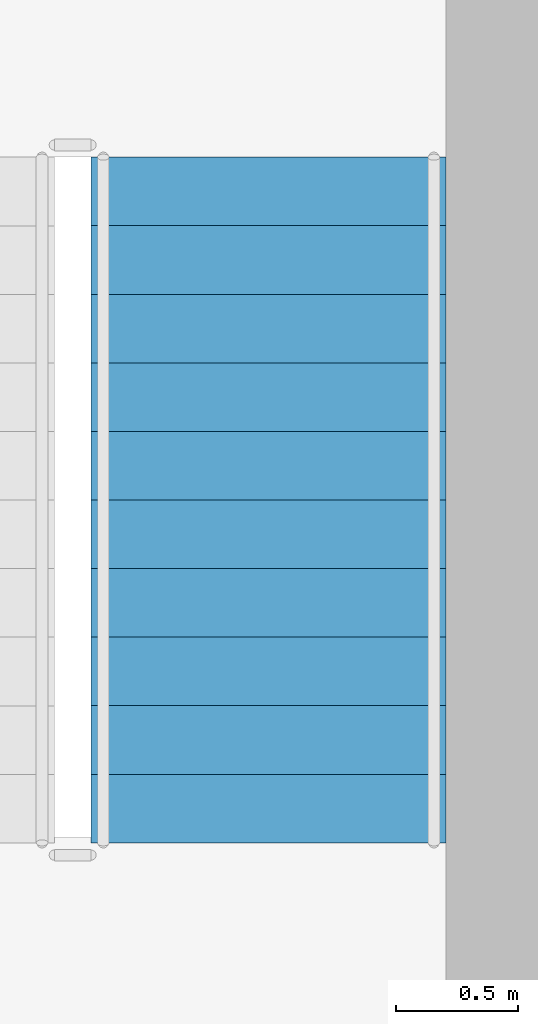
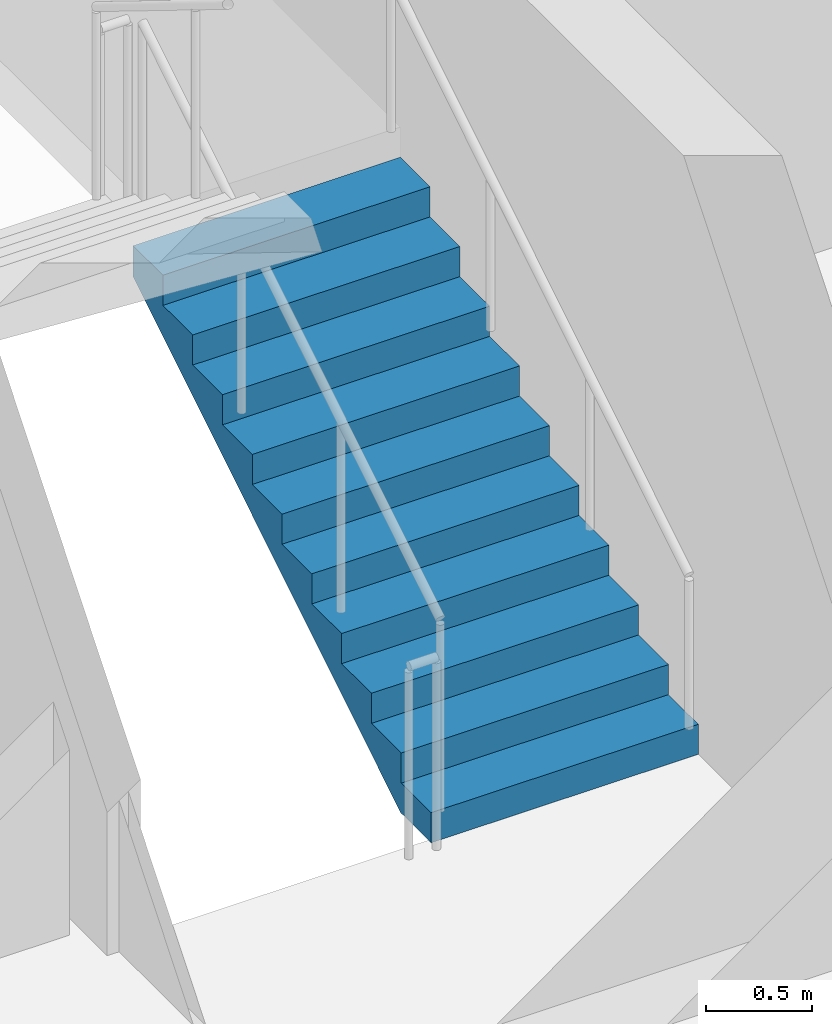
# One storey, part 31 of 35: 1 stair flight, 1 element without a shape of its own.
"""IFC4 building model written with IfcOpenShell, lengths in metres."""

from ifc_helpers import new_model, si_unit, direction, frame, origin, place, context, subcontext, project, spatial, polyline, outline, extrude, material, type_object, element, aggregate, save


model = new_model("IFC4")

# Units and contexts
model_context = context("Model", 3, precision=1e-05, world=origin(), true_north=direction((0.0, 1.0)))
body_context = subcontext(model_context, "Body", "Model", "MODEL_VIEW")
ifc_project = project(units=[si_unit("LENGTHUNIT", "METRE"), si_unit("AREAUNIT", "SQUARE_METRE"), si_unit("VOLUMEUNIT", "CUBIC_METRE"), si_unit("PLANEANGLEUNIT", "RADIAN"), si_unit("MASSUNIT", "GRAM", prefix="KILO")], contexts=[model_context])

# Site, building, storey
site_placement = place(None, origin())
site = spatial("IfcSite", under=ifc_project, at=site_placement, CompositionType="ELEMENT")
building_placement = place(site_placement, origin())
building = spatial("IfcBuilding", under=site, at=building_placement, Name="Saevonmaru Cultural Tower", CompositionType="ELEMENT")
storey_placement = place(building_placement, frame((0.0, 0.0, 249.60009765625)))
storey = spatial("IfcBuildingStorey", under=building, at=storey_placement, Name="L58", CompositionType="ELEMENT", Elevation=249.60009765625)

# Stair, stair flight
ifc_material_1 = material(Name="Concrete C40/50", Category="concrete")
stair_type = type_object("IfcStairType", Name="STR-DOGLEG-RC", PredefinedType="HALF_TURN_STAIR", material=ifc_material_1)
stair_placement = place(storey_placement, origin())
stair = element("IfcStair", 1, at=stair_placement, inside=storey, type_object=stair_type, Name="L58 Protected exit stair ST-2", PredefinedType="HALF_TURN_STAIR")
ifc_material_2 = material(Name="Precast concrete C40/50", Category="concrete")
stair_flight_type = type_object("IfcStairFlightType", Name="STF-PRECAST-180", PredefinedType="STRAIGHT", material=ifc_material_2)
stair_flight_placement = place(storey_placement, frame((45.074951171875, 44.85009765625, 0.0), z_axis=(0.0, 0.0, 1.0), x_axis=(0.0, 1.0, 0.0)))
stair_flight = element("IfcStairFlight", 2, at=stair_flight_placement, type_object=stair_flight_type, Name="ST-2-L58 flight 1", NumberOfRisers=11, NumberOfTreads=10, PredefinedType="STRAIGHT", RiserHeight=0.172727273, TreadLength=0.28, context=body_context, shape_type="SweptSolid", body=[
    extrude(outline(polyline([(0.0, 0.0), (0.0, 0.172607421875), (0.280029296875, 0.172607421875), (0.280029296875, 0.345458984375), (0.56005859375, 0.345458984375), (0.56005859375, 0.51806640625), (0.840087890625, 0.51806640625), (0.840087890625, 0.69091796875), (1.1201171875, 0.69091796875), (1.1201171875, 0.863525390625), (1.39990234375, 0.863525390625), (1.39990234375, 1.036376953125), (1.679931640625, 1.036376953125), (1.679931640625, 1.208984375), (1.9599609375, 1.208984375), (1.9599609375, 1.3818359375), (2.239990234375, 1.3818359375), (2.239990234375, 1.554443359375), (2.52001953125, 1.554443359375), (2.52001953125, 1.727294921875), (2.800048828125, 1.727294921875), (2.800048828125, 1.89990234375), (2.800048828125, 1.551025390625), (0.285400390625, 0.0), (0.0, 0.0)])), frame((0.0, 0.72509765625, 0.0), z_axis=(0.0, -1.0, 0.0), x_axis=(1.0, 0.0, 0.0)), (0.0, 0.0, 1.0), 1.449951171875),
])
aggregate(stair, [stair_flight])

save(model, "model.ifc")
